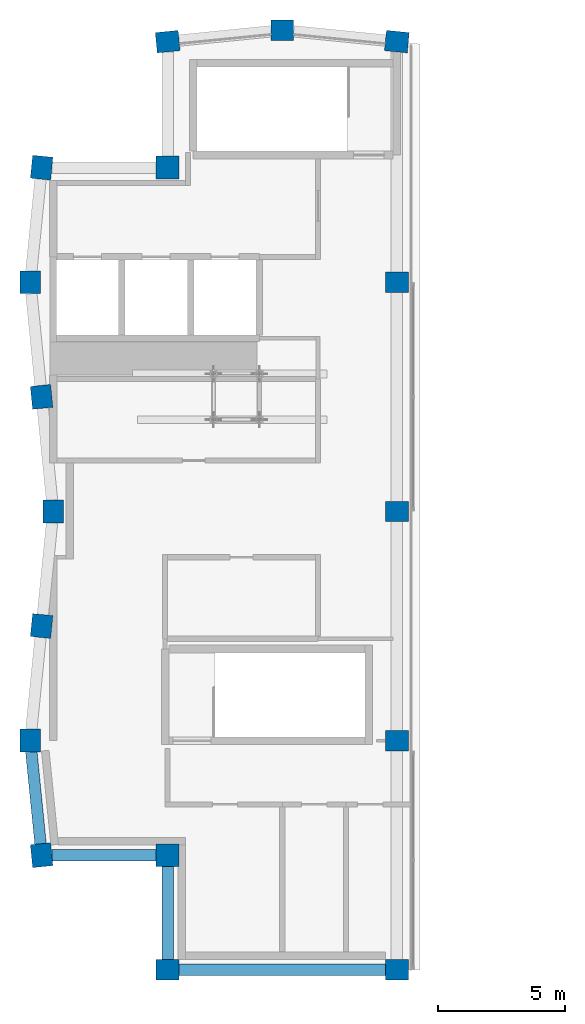
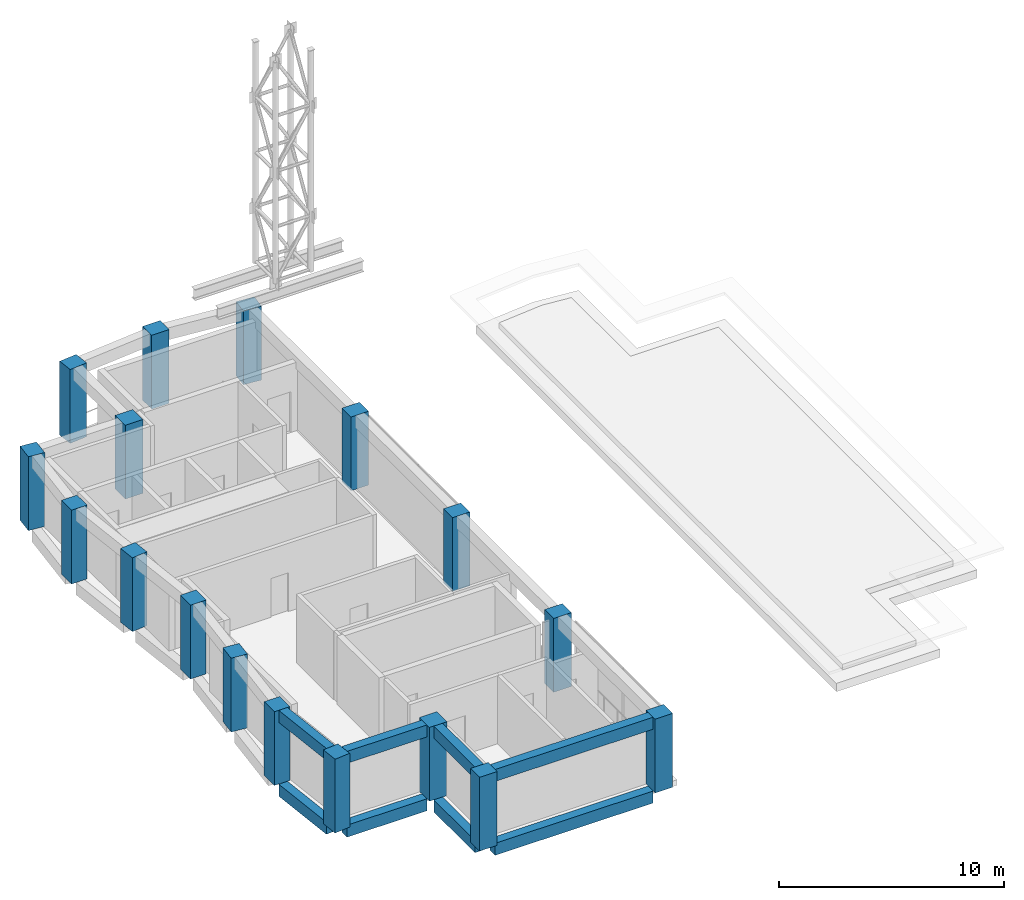
# One storey, part 1 of 7: 17 columns, 8 beams.
"""IFC4 building model written with IfcOpenShell, lengths in metres."""

from ifc_helpers import new_model, si_unit, direction, frame, origin, origin_2d, place, context, subcontext, project, spatial, rectangle, extrude, material, material_profile, profile_set, type_object, element, save


model = new_model("IFC4")

# Units and contexts
model_context = context("Model", 3, precision=1e-05, world=origin(), true_north=direction((0.0, 1.0)))
body_context = subcontext(model_context, "Body", "Model", "MODEL_VIEW")
ifc_project = project(units=[si_unit("LENGTHUNIT", "METRE"), si_unit("AREAUNIT", "SQUARE_METRE"), si_unit("VOLUMEUNIT", "CUBIC_METRE"), si_unit("PLANEANGLEUNIT", "RADIAN"), si_unit("MASSUNIT", "GRAM", prefix="KILO")], contexts=[model_context])

# Site, building, storey
site_placement = place(None, origin())
site = spatial("IfcSite", under=ifc_project, at=site_placement, CompositionType="ELEMENT")
building_placement = place(site_placement, origin())
building = spatial("IfcBuilding", under=site, at=building_placement, Name="Brondeck Convention Tower", CompositionType="ELEMENT")
storey_placement = place(building_placement, frame((0.0, 0.0, 306.800048828125)))
storey = spatial("IfcBuildingStorey", under=building, at=storey_placement, Name="L76", CompositionType="ELEMENT", Elevation=306.800048828125)

# Columns
ifc_material = material(Name="Concrete C50/60", Category="concrete")
ifc_material_profile_1 = material_profile(ifc_material, rectangle(XDim=0.89990234375, YDim=0.89990234375, at=origin_2d()), Name="Corner column 900x900 Concrete C50/60")
ifc_profile_set_1 = profile_set([ifc_material_profile_1], Name="Concrete C50/60")
column_type_1 = type_object("IfcColumnType", Name="Corner column 900x900 Concrete C50/60", PredefinedType="COLUMN", material=ifc_profile_set_1)
for number, where, z_axis, x_axis, name in (
    (1, (4.5, 31.5, 0.0), (0.0, 0.0, 1.0), (1.0, 0.0, 0.0), "STR-COL-L76-NC-KSW"),
    (2, (4.5, 58.5, 0.0), (0.0, 0.0, 1.0), (1.0, 0.0, 0.0), "STR-COL-L76-NC-NW"),
):
    element("IfcColumn", number, at=place(storey_placement, frame(where, z_axis=z_axis, x_axis=x_axis)), inside=storey, type_object=column_type_1, Name=name, PredefinedType="COLUMN", context=body_context, shape_type="SweptSolid", body=[
        extrude(rectangle(XDim=0.89990234375, YDim=0.89990234375, at=origin_2d()), origin(), (0.0, 0.0, 1.0), 4.0),
    ])
ifc_material_profile_2 = material_profile(ifc_material, rectangle(XDim=0.89990234375, YDim=0.800048828125, at=origin_2d()), Name="Crown pier 900x800 Concrete C50/60")
ifc_profile_set_2 = profile_set([ifc_material_profile_2], Name="Concrete C50/60")
column_type_2 = type_object("IfcColumnType", Name="Crown pier 900x800 Concrete C50/60", PredefinedType="COLUMN", material=ifc_profile_set_2)
for number, where, z_axis, x_axis, name in (
    (3, (4.5, 27.0, 0.0), (0.0, 0.0, 1.0), (1.0, 0.0, 0.0), "STR-COL-L76-PC-K-S-01"),
    (4, (13.5, 27.0, 0.0), (0.0, 0.0, 1.0), (1.0, 0.0, 0.0), "STR-COL-L76-PC-K-S-03"),
    (5, (13.5, 36.0, 0.0), (0.0, 0.0, 1.0), (1.0, 0.0, 0.0), "STR-COL-L76-PC-SLOT-W-01"),
    (6, (13.5, 45.0, 0.0), (0.0, 0.0, 1.0), (1.0, 0.0, 0.0), "STR-COL-L76-PC-SLOT-W-02"),
    (7, (13.5, 54.0, 0.0), (0.0, 0.0, 1.0), (1.0, 0.0, 0.0), "STR-COL-L76-PC-SLOT-W-03"),
    (8, (13.5, 63.449951171875, 0.0), (0.0, 0.0, 1.0), (-0.995037178292, 0.0995038382, 0.0), "STR-COL-L76-PC-A-N-03"),
    (9, (9.0, 63.89990234375, 0.0), (0.0, 0.0, 1.0), (-1.0, 0.0, 0.0), "STR-COL-L76-PC-A-N-02"),
    (10, (4.5, 63.449951171875, 0.0), (0.0, 0.0, 1.0), (-0.995037178292, -0.0995038382, 0.0), "STR-COL-L76-PC-A-N-01"),
    (11, (-0.449951171875, 58.5, 0.0), (0.0, 0.0, 1.0), (-0.0995038382, -0.995037178292, 0.0), "STR-COL-L76-PC-B-W-01"),
    (12, (-0.89990234375, 54.0, 0.0), (0.0, 0.0, 1.0), (0.0, -1.0, 0.0), "STR-COL-L76-PC-B-W-02"),
    (13, (-0.449951171875, 49.5, 0.0), (0.0, 0.0, 1.0), (0.0995038382, -0.995037178292, 0.0), "STR-COL-L76-PC-B-W-03"),
    (14, (0.0, 45.0, 0.0), (0.0, 0.0, 1.0), (0.0, -1.0, 0.0), "STR-COL-L76-PC-B-W-04"),
    (15, (-0.449951171875, 40.5, 0.0), (0.0, 0.0, 1.0), (-0.0995038382, -0.995037178292, 0.0), "STR-COL-L76-PC-B-W-05"),
    (16, (-0.89990234375, 36.0, 0.0), (0.0, 0.0, 1.0), (0.0, -1.0, 0.0), "STR-COL-L76-PC-B-W-06"),
    (17, (-0.449951171875, 31.5, 0.0), (0.0, 0.0, 1.0), (0.0995038382, -0.995037178292, 0.0), "STR-COL-L76-PC-B-W-07"),
):
    element("IfcColumn", number, at=place(storey_placement, frame(where, z_axis=z_axis, x_axis=x_axis)), inside=storey, type_object=column_type_2, Name=name, PredefinedType="COLUMN", context=body_context, shape_type="SweptSolid", body=[
        extrude(rectangle(XDim=0.89990234375, YDim=0.800048828125, at=origin_2d()), origin(), (0.0, 0.0, 1.0), 4.0),
    ])

# Beams
ifc_material_profile_3 = material_profile(ifc_material, rectangle(XDim=0.449951171875, YDim=0.64990234375, at=origin_2d()), Name="Precast spandrel 450x650 Concrete C50/60")
ifc_profile_set_3 = profile_set([ifc_material_profile_3], Name="Concrete C50/60")
beam_type = type_object("IfcBeamType", Name="Precast spandrel 450x650 Concrete C50/60", PredefinedType="SPANDREL", material=ifc_profile_set_3)
beam_1_placement = place(storey_placement, frame((4.949951171875, 27.0, -0.324951171875), z_axis=(1.0, 0.0, 0.0), x_axis=(0.0, 1.0, 0.0)))
element("IfcBeam", 18, at=beam_1_placement, inside=storey, type_object=beam_type, Name="STR-SP-L76K1-001", PredefinedType="SPANDREL", context=body_context, shape_type="SweptSolid", body=[
    extrude(rectangle(XDim=0.449951171875, YDim=0.64990234375, at=origin_2d()), origin(), (0.0, 0.0, 1.0), 8.10009765625),
])
beam_2_placement = place(storey_placement, frame((-0.85498046875, 35.550048828125, -0.324951171875), z_axis=(0.099470334057, -0.995040528141, 0.0), x_axis=(0.995040528141, 0.099470334057, 0.0)))
element("IfcBeam", 19, at=beam_2_placement, inside=storey, type_object=beam_type, Name="STR-SP-L76K1-015", PredefinedType="SPANDREL", context=body_context, shape_type="SweptSolid", body=[
    extrude(rectangle(XDim=0.449951171875, YDim=0.64990234375, at=origin_2d()), origin(), (0.0, 0.0, 1.0), 3.620361328125),
])
beam_3_placement = place(storey_placement, frame((-0.048095703125, 31.5, -0.324951171875), z_axis=(1.0, 0.0, 0.0), x_axis=(0.0, 1.0, 0.0)))
element("IfcBeam", 20, at=beam_3_placement, inside=storey, type_object=beam_type, Name="STR-SP-L76K1-016", PredefinedType="SPANDREL", context=body_context, shape_type="SweptSolid", body=[
    extrude(rectangle(XDim=0.449951171875, YDim=0.64990234375, at=origin_2d()), origin(), (0.0, 0.0, 1.0), 4.09814453125),
])
beam_4_placement = place(storey_placement, frame((4.5, 31.050048828125, -0.324951171875), z_axis=(0.0, -1.0, 0.0), x_axis=(1.0, 0.0, 0.0)))
element("IfcBeam", 21, at=beam_4_placement, inside=storey, type_object=beam_type, Name="STR-SP-L76K1-017", PredefinedType="SPANDREL", context=body_context, shape_type="SweptSolid", body=[
    extrude(rectangle(XDim=0.449951171875, YDim=0.64990234375, at=origin_2d()), origin(), (0.0, 0.0, 1.0), 3.650146484375),
])
beam_5_placement = place(storey_placement, frame((4.949951171875, 27.0, 3.675048828125), z_axis=(1.0, 0.0, 0.0), x_axis=(0.0, 1.0, 0.0)))
element("IfcBeam", 22, at=beam_5_placement, inside=storey, type_object=beam_type, Name="STR-SP-L76RP1-001", PredefinedType="SPANDREL", context=body_context, shape_type="SweptSolid", body=[
    extrude(rectangle(XDim=0.449951171875, YDim=0.64990234375, at=origin_2d()), origin(), (0.0, 0.0, 1.0), 8.10009765625),
])
beam_6_placement = place(storey_placement, frame((-0.85498046875, 35.550048828125, 3.675048828125), z_axis=(0.099470334057, -0.995040528141, 0.0), x_axis=(0.995040528141, 0.099470334057, 0.0)))
element("IfcBeam", 23, at=beam_6_placement, inside=storey, type_object=beam_type, Name="STR-SP-L76RP1-015", PredefinedType="SPANDREL", context=body_context, shape_type="SweptSolid", body=[
    extrude(rectangle(XDim=0.449951171875, YDim=0.64990234375, at=origin_2d()), origin(), (0.0, 0.0, 1.0), 3.620361328125),
])
beam_7_placement = place(storey_placement, frame((-0.048095703125, 31.5, 3.675048828125), z_axis=(1.0, 0.0, 0.0), x_axis=(0.0, 1.0, 0.0)))
element("IfcBeam", 24, at=beam_7_placement, inside=storey, type_object=beam_type, Name="STR-SP-L76RP1-016", PredefinedType="SPANDREL", context=body_context, shape_type="SweptSolid", body=[
    extrude(rectangle(XDim=0.449951171875, YDim=0.64990234375, at=origin_2d()), origin(), (0.0, 0.0, 1.0), 4.09814453125),
])
beam_8_placement = place(storey_placement, frame((4.5, 31.050048828125, 3.675048828125), z_axis=(0.0, -1.0, 0.0), x_axis=(1.0, 0.0, 0.0)))
element("IfcBeam", 25, at=beam_8_placement, inside=storey, type_object=beam_type, Name="STR-SP-L76RP1-017", PredefinedType="SPANDREL", context=body_context, shape_type="SweptSolid", body=[
    extrude(rectangle(XDim=0.449951171875, YDim=0.64990234375, at=origin_2d()), origin(), (0.0, 0.0, 1.0), 3.650146484375),
])

save(model, "model.ifc")
